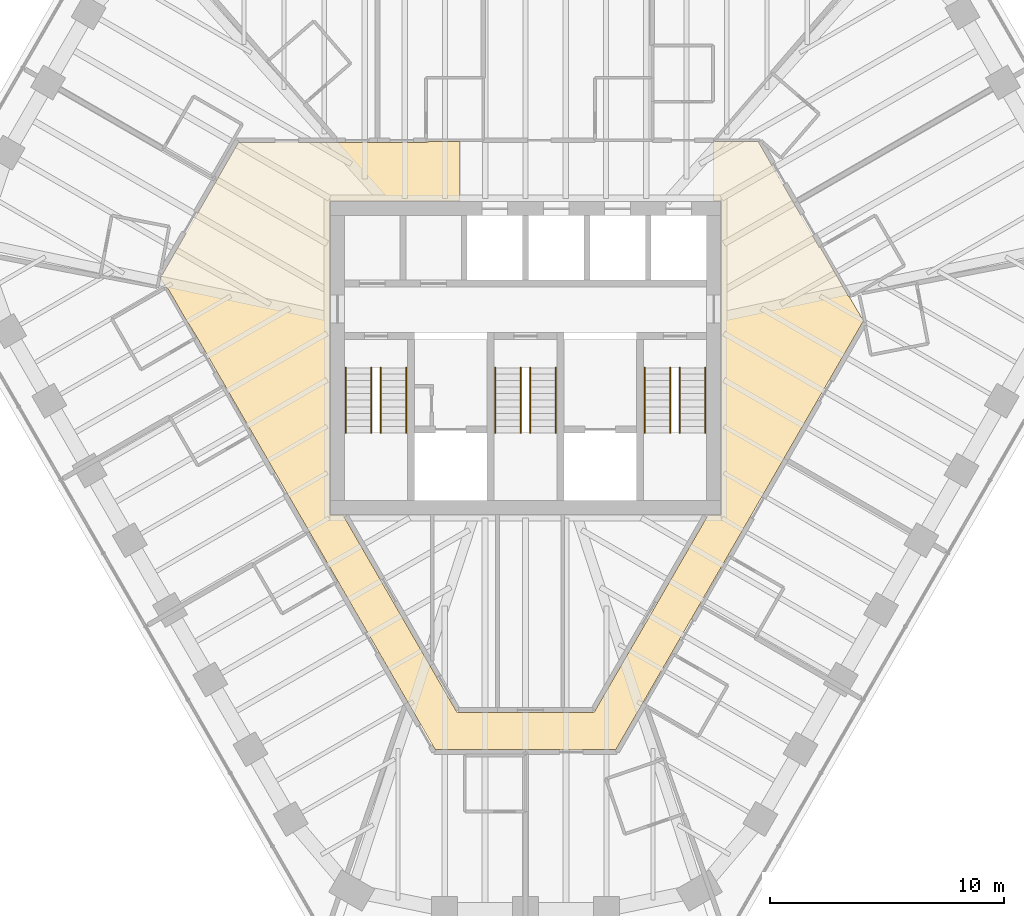
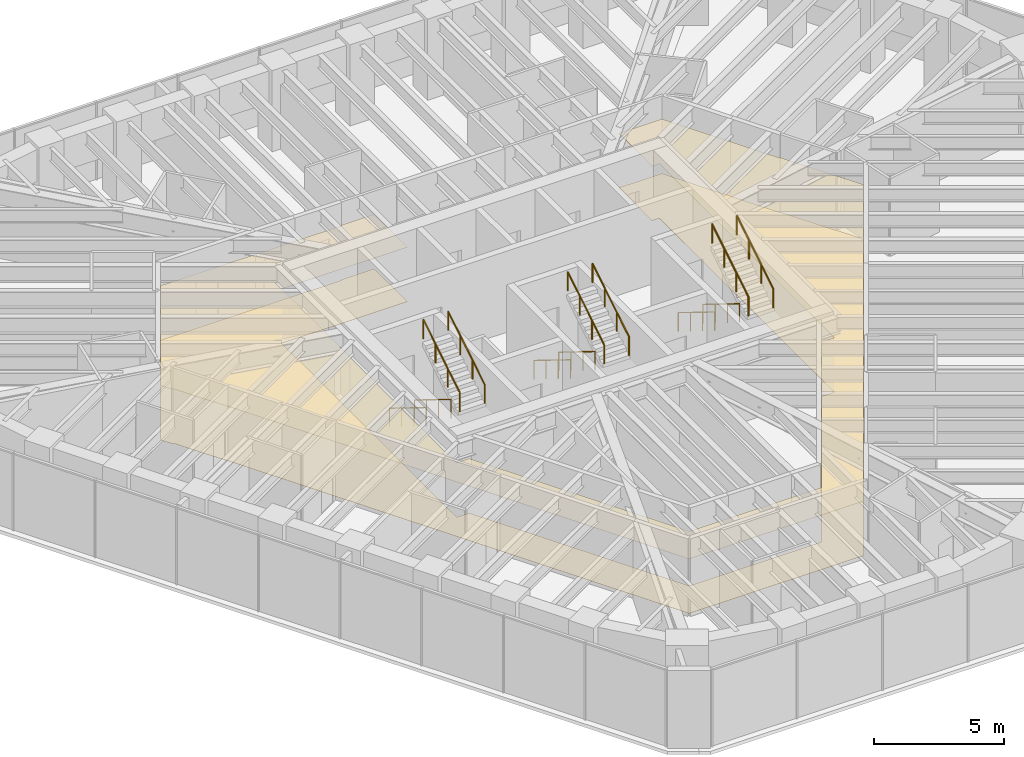
# One storey, part 14 of 14: 12 railings, 2 coverings.
"""IFC4 building model written with IfcOpenShell, lengths in metres."""

import ifcopenshell
import ifcopenshell.guid

model = None  # the IFC model being written
_history = None  # IfcOwnerHistory: only IFC2X3 demands one
_inside = {}  # id of a spatial element -> (the spatial element, [elements in it])
_under = {}  # id of a project, library or spatial element -> (it, [spatial elements below it])
_declared = {}  # id of a project -> (the project, [libraries it declares])
_typed = {}  # id of a type object -> (the type object, [elements of that type])
_made_of = {}  # id of a material, layer set ... -> (it, [elements and type objects made of it])


def new_model(schema):
    """Start an empty IFC model of exactly this schema.

    Asked for "IFC4X3", IfcOpenShell would pick the latest addendum, in which some entities
    have other attributes; the version numbers below select the first issue.
    IFC2X3 requires an IfcOwnerHistory on every rooted entity: one is made here for all.
    """
    global model, _history
    if schema == "IFC4X3":
        model = ifcopenshell.file(schema_version=(4, 3, 0, 0))
    else:
        model = ifcopenshell.file(schema=schema)
    _inside.clear()
    _under.clear()
    _declared.clear()
    _typed.clear()
    _made_of.clear()
    _history = None
    if model.schema == "IFC2X3":
        org = make("IfcOrganization", Name="unknown")
        user = make(
            "IfcPersonAndOrganization",
            ThePerson=make("IfcPerson", FamilyName="unknown"),
            TheOrganization=org,
        )
        app = make(
            "IfcApplication",
            ApplicationDeveloper=org,
            Version="unknown",
            ApplicationFullName="unknown",
            ApplicationIdentifier="unknown",
        )
        _history = make(
            "IfcOwnerHistory",
            OwningUser=user,
            OwningApplication=app,
            ChangeAction="ADDED",
            CreationDate=0,
        )
    return model


def make(cls, **values):
    """One entity of the class cls with the attributes given. An attribute that is None is left unset."""
    return model.create_entity(
        cls, **{name: value for name, value in values.items() if value is not None}
    )


def rooted(cls, **values):
    """An entity with a GlobalId (a new one), such as an element, a storey or a relation."""
    return make(cls, GlobalId=ifcopenshell.guid.new(), OwnerHistory=_history, **values)


def si_unit(unit_type, name, prefix=None):
    """IfcSIUnit, for example si_unit("LENGTHUNIT", "METRE", prefix="MILLI")."""
    return make("IfcSIUnit", UnitType=unit_type, Prefix=prefix, Name=name)


def assignment(units):
    """IfcUnitAssignment: the units of a project."""
    return None if units is None else make("IfcUnitAssignment", Units=units)


def point(xyz):
    """IfcCartesianPoint."""
    return None if xyz is None else make("IfcCartesianPoint", Coordinates=xyz)


def direction(xyz):
    """IfcDirection."""
    return None if xyz is None else make("IfcDirection", DirectionRatios=xyz)


def frame(location, z_axis=None, x_axis=None):
    """IfcAxis2Placement3D, a coordinate frame: its origin and axes. An axis left out is left unset."""
    return make(
        "IfcAxis2Placement3D",
        Location=point(location),
        Axis=direction(z_axis),
        RefDirection=direction(x_axis),
    )


def frame_2d(location, x_axis=None):
    """IfcAxis2Placement2D, a coordinate frame in the plane: its origin and x axis."""
    return make(
        "IfcAxis2Placement2D", Location=point(location), RefDirection=direction(x_axis)
    )


def origin():
    """The frame at (0, 0, 0) with its axes left unset."""
    return frame((0.0, 0.0, 0.0))


def origin_2d():
    """The frame at (0, 0) in the plane with its x axis left unset."""
    return frame_2d((0.0, 0.0))


def place(relative_to, where):
    """IfcLocalPlacement: puts the frame where relative to a parent placement (None: the world)."""
    return make(
        "IfcLocalPlacement", PlacementRelTo=relative_to, RelativePlacement=where
    )


def context(
    kind, dimensions, precision=None, world=None, true_north=None, identifier=None
):
    """IfcGeometricRepresentationContext, for example the 3D "Model" context."""
    return make(
        "IfcGeometricRepresentationContext",
        ContextIdentifier=identifier,
        ContextType=kind,
        CoordinateSpaceDimension=dimensions,
        Precision=precision,
        WorldCoordinateSystem=world,
        TrueNorth=true_north,
    )


def subcontext(parent, identifier, kind, view, scale=None):
    """IfcGeometricRepresentationSubContext, for example "Body" below "Model"."""
    return make(
        "IfcGeometricRepresentationSubContext",
        ContextIdentifier=identifier,
        ContextType=kind,
        ParentContext=parent,
        TargetScale=scale,
        TargetView=view,
    )


def project(units=None, contexts=None):
    """IfcProject with its units and contexts."""
    return rooted(
        "IfcProject",
        Name="project",
        RepresentationContexts=contexts,
        UnitsInContext=assignment(units),
    )


def spatial(cls, under=None, at=None, **own):
    """A site, building, storey or space (cls), placed at a placement, below another one or the project."""
    s = rooted(cls, ObjectPlacement=at, **own)
    if under is not None:
        _under.setdefault(under.id(), (under, []))[1].append(s)
    return s


def polyline(points):
    """IfcPolyline through the points."""
    return make("IfcPolyline", Points=[point(p) for p in points])


def profile(cls, at=None, kind="AREA", **sizes):
    """A parametric profile (cls). Its sizes go by their IFC names, for example OverallWidth=200.0."""
    return make(cls, ProfileType=kind, Position=at, **sizes)


def circle(**sizes):
    """IfcCircleProfileDef."""
    return profile("IfcCircleProfileDef", **sizes)


def outline(outer, holes=None, kind="AREA"):
    """IfcArbitraryClosedProfileDef: a profile drawn as a closed curve; with holes, ...WithVoids."""
    if holes is None:
        return make("IfcArbitraryClosedProfileDef", ProfileType=kind, OuterCurve=outer)
    return make(
        "IfcArbitraryProfileDefWithVoids",
        ProfileType=kind,
        OuterCurve=outer,
        InnerCurves=holes,
    )


def extrude(swept, where, along, depth):
    """IfcExtrudedAreaSolid: the profile swept, set in the frame where, extruded along a direction by depth."""
    return make(
        "IfcExtrudedAreaSolid",
        SweptArea=swept,
        Position=where,
        ExtrudedDirection=direction(along),
        Depth=depth,
    )


def shape(context_of_items, identifier, shape_type, items):
    """IfcShapeRepresentation: the items that make up one representation, for example the "Body"."""
    return make(
        "IfcShapeRepresentation",
        ContextOfItems=context_of_items,
        RepresentationIdentifier=identifier,
        RepresentationType=shape_type,
        Items=items,
    )


def material(Name=None, Category=None):
    """IfcMaterial."""
    return make("IfcMaterial", Name=Name, Category=Category)


def layer(
    of_material, thickness, ventilated=None, Name=None, Category=None, Priority=None
):
    """IfcMaterialLayer: one layer of a wall or slab, of a material (None: an air gap)."""
    return make(
        "IfcMaterialLayer",
        Material=of_material,
        LayerThickness=thickness,
        IsVentilated=ventilated,
        Name=Name,
        Category=Category,
        Priority=Priority,
    )


def layer_set(layers, Name=None):
    """IfcMaterialLayerSet."""
    return make("IfcMaterialLayerSet", MaterialLayers=layers, LayerSetName=Name)


def made_of(thing, what):
    """Note that an element or type object is made of a material, layer set ...; save() writes the relation."""
    if what is not None:
        _made_of.setdefault(what.id(), (what, []))[1].append(thing)
    return thing


def type_object(cls, material=None, **own):
    """A type object (cls), such as IfcWallType, which elements share."""
    return made_of(rooted(cls, **own), material)


def element(
    cls,
    number,
    at=None,
    inside=None,
    cuts=None,
    type_object=None,
    material=None,
    context=None,
    identifier="Body",
    shape_type=None,
    held_by="IfcProductDefinitionShape",
    body=None,
    shapes=None,
    **own,
):
    """One element of the class cls, such as IfcWall. Its Tag is "e" and its number.

    at: its placement. inside: the storey or other place that contains it. cuts: it is an
    opening in that element (IfcRelVoidsElement). A single representation is given by context,
    identifier, shape_type and body (its items); several are given by shapes. held_by: the class
    of the entity that holds the representations. save() writes the other relations.
    """
    e = rooted(cls, Tag="e%d" % number, ObjectPlacement=at, **own)
    if body is not None:
        shapes = [shape(context, identifier, shape_type, body)]
    if shapes is not None:
        e.Representation = make(held_by, Representations=shapes)
    if inside is not None:
        _inside.setdefault(inside.id(), (inside, []))[1].append(e)
    if cuts is not None:
        rooted(
            "IfcRelVoidsElement", RelatingBuildingElement=cuts, RelatedOpeningElement=e
        )
    if type_object is not None:
        _typed.setdefault(type_object.id(), (type_object, []))[1].append(e)
    return made_of(e, material)


def aggregate(whole, parts):
    """IfcRelAggregates: a whole, such as a stair, and the parts it consists of."""
    return rooted("IfcRelAggregates", RelatingObject=whole, RelatedObjects=parts)


def save(model, path):
    """Write the relations noted so far, then the file.

    IfcRelAggregates (storeys below a building ...), IfcRelContainedInSpatialStructure (elements
    in a storey), IfcRelDefinesByType, IfcRelAssociatesMaterial and IfcRelDeclares: one each for
    every whole, place, type object, material and project.
    """
    for whole, parts in _under.values():
        aggregate(whole, parts)
    for where, things in _inside.values():
        rooted(
            "IfcRelContainedInSpatialStructure",
            RelatedElements=things,
            RelatingStructure=where,
        )
    for kind, things in _typed.values():
        rooted("IfcRelDefinesByType", RelatedObjects=things, RelatingType=kind)
    for what, things in _made_of.values():
        rooted("IfcRelAssociatesMaterial", RelatedObjects=things, RelatingMaterial=what)
    for by, libraries in _declared.values():
        rooted("IfcRelDeclares", RelatingContext=by, RelatedDefinitions=libraries)
    model.write(path)


model = new_model("IFC4")

# Units and contexts
model_context = context("Model", 3, precision=1e-05, world=origin(), true_north=direction((0.0, 1.0)))
body_context = subcontext(model_context, "Body", "Model", "MODEL_VIEW")
ifc_project = project(units=[si_unit("LENGTHUNIT", "METRE"), si_unit("AREAUNIT", "SQUARE_METRE"), si_unit("VOLUMEUNIT", "CUBIC_METRE"), si_unit("PLANEANGLEUNIT", "RADIAN"), si_unit("MASSUNIT", "GRAM", prefix="KILO")], contexts=[model_context])

# Site, building, storey
site_placement = place(None, origin())
site = spatial("IfcSite", under=ifc_project, at=site_placement, CompositionType="ELEMENT")
building_placement = place(site_placement, origin())
building = spatial("IfcBuilding", under=site, at=building_placement, Name="Sandreach Pilgrim Tower", CompositionType="ELEMENT")
storey_placement = place(building_placement, frame((0.0, 0.0, 283.60009765625)))
storey = spatial("IfcBuildingStorey", under=building, at=storey_placement, Name="L71", CompositionType="ELEMENT", Elevation=283.60009765625)

# Coverings
ifc_material_1 = material(Name="Nylon carpet tile on the slab", Category="textile")
ifc_layer_1 = layer(ifc_material_1, 0.008056640625)
ifc_layer_set_1 = layer_set([ifc_layer_1], Name="Carpet tile")
covering_type_1 = type_object("IfcCoveringType", Name="Carpet tile", PredefinedType="FLOORING", material=ifc_layer_set_1)
covering_1_placement = place(storey_placement, origin())
element("IfcCovering", 1, at=covering_1_placement, inside=storey, type_object=covering_type_1, Name="Floor finish 71C Corridor 71", PredefinedType="FLOORING", context=body_context, shape_type="SweptSolid", body=[
    extrude(outline(polyline([(-15.610107421875, 3.4716796875), (-12.292236328125, 9.22998046875), (-4.260009765625, 9.22998046875), (-4.260009765625, 9.263916015625), (-2.800048828125, 9.27001953125), (-2.800048828125, 6.719970703125), (-8.3701171875, 6.719970703125), (-8.3701171875, -6.719970703125), (-7.812744140625, -6.719970703125), (-2.937744140625, -15.159912109375), (2.937744140625, -15.159912109375), (7.812744140625, -6.719970703125), (8.3701171875, -6.719970703125), (8.3701171875, 6.719970703125), (8.050048828125, 6.719970703125), (8.050048828125, 9.27001953125), (9.95751953125, 9.27001953125), (12.576416015625, 4.74169921875), (12.607421875, 4.759521484375), (13.827880859375, 2.64013671875), (13.84619140625, 2.650634765625), (14.464111328125, 1.5986328125), (3.8623046875, -16.760009765625), (-3.8623046875, -16.760009765625), (-14.0634765625, 0.89990234375), (-14.656982421875, 1.854736328125), (-15.307861328125, 2.98974609375), (-15.348388671875, 2.966796875), (-15.356201171875, 2.979248046875), (-15.34814453125, 3.018798828125), (-15.385498046875, 3.0263671875), (-15.62255859375, 3.407470703125), (-15.610107421875, 3.4716796875)])), origin(), (0.0, 0.0, 1.0), 0.0078125),
])
ifc_material_2 = material(Name="Gypsum board suspended ceiling on a steel grid", Category="steel")
ifc_layer_2 = layer(ifc_material_2, 0.012939453125)
ifc_layer_set_2 = layer_set([ifc_layer_2], Name="Gypsum board suspended ceiling")
covering_type_2 = type_object("IfcCoveringType", Name="Gypsum board suspended ceiling", PredefinedType="CEILING", material=ifc_layer_set_2)
covering_2_placement = place(storey_placement, frame((0.0, 0.0, 2.5498046875)))
element("IfcCovering", 2, at=covering_2_placement, inside=storey, type_object=covering_type_2, Name="Ceiling 71C Corridor 71", PredefinedType="CEILING", context=body_context, shape_type="SweptSolid", body=[
    extrude(outline(polyline([(-15.610107421875, 3.4716796875), (-12.292236328125, 9.22998046875), (-4.260009765625, 9.22998046875), (-4.260009765625, 9.263916015625), (-2.800048828125, 9.27001953125), (-2.800048828125, 6.719970703125), (-8.3701171875, 6.719970703125), (-8.3701171875, -6.719970703125), (-7.812744140625, -6.719970703125), (-2.937744140625, -15.159912109375), (2.937744140625, -15.159912109375), (7.812744140625, -6.719970703125), (8.3701171875, -6.719970703125), (8.3701171875, 6.719970703125), (8.050048828125, 6.719970703125), (8.050048828125, 9.27001953125), (9.95751953125, 9.27001953125), (12.576416015625, 4.74169921875), (12.607421875, 4.759521484375), (13.827880859375, 2.64013671875), (13.84619140625, 2.650634765625), (14.464111328125, 1.5986328125), (3.8623046875, -16.760009765625), (-3.8623046875, -16.760009765625), (-14.0634765625, 0.89990234375), (-14.656982421875, 1.854736328125), (-15.307861328125, 2.98974609375), (-15.348388671875, 2.966796875), (-15.356201171875, 2.979248046875), (-15.34814453125, 3.018798828125), (-15.385498046875, 3.0263671875), (-15.62255859375, 3.407470703125), (-15.610107421875, 3.4716796875)])), origin(), (0.0, 0.0, 1.0), 0.01318359375),
])

# Railings
ifc_material_3 = material(Name="Stainless steel tube", Category="steel")
railing_type = type_object("IfcRailingType", Name="Stair handrail", PredefinedType="HANDRAIL", material=ifc_material_3)
for number, where, name in (
    (3, (-6.60009765625, -0.39990234375, 0.172607421875), "Handrail ST1 L71 flight 1"),
    (4, (-7.699951171875, -0.39990234375, 0.172607421875), "Handrail ST1 L71 flight 1"),
):
    element("IfcRailing", number, at=place(storey_placement, frame(where)), inside=storey, type_object=railing_type, Name=name, PredefinedType="HANDRAIL", context=body_context, shape_type="SweptSolid", body=[
        extrude(circle(Radius=0.02392578125, at=origin_2d()), frame((0.0, 0.0, 0.8759765625), z_axis=(0.0, -0.851089632645, 0.525020415988), x_axis=(1.0, 0.0, 0.0)), (0.0, 0.0, 1.0), 3.2900390625),
        extrude(circle(Radius=0.02099609375, at=origin_2d()), origin(), (0.0, 0.0, 1.0), 0.851806640625),
        extrude(circle(Radius=0.02099609375, at=origin_2d()), frame((0.0, -0.933349609375, 0.57568359375)), (0.0, 0.0, 1.0), 0.851806640625),
        extrude(circle(Radius=0.02099609375, at=origin_2d()), frame((0.0, -1.86669921875, 1.151611328125)), (0.0, 0.0, 1.0), 0.851806640625),
        extrude(circle(Radius=0.02099609375, at=origin_2d()), frame((0.0, -2.800048828125, 1.727294921875)), (0.0, 0.0, 1.0), 0.851806640625),
    ])
for number, where, name in (
    (5, (-6.199951171875, -3.199951171875, 2.072509765625), "Handrail ST1 L71 flight 2"),
    (6, (-5.10009765625, -3.199951171875, 2.072509765625), "Handrail ST1 L71 flight 2"),
):
    element("IfcRailing", number, at=place(storey_placement, frame(where)), inside=storey, type_object=railing_type, Name=name, PredefinedType="HANDRAIL", context=body_context, shape_type="SweptSolid", body=[
        extrude(circle(Radius=0.02392578125, at=origin_2d()), frame((0.0, 0.0, 0.8759765625), z_axis=(0.0, 0.851089632645, 0.525020415988), x_axis=(-1.0, 0.0, 0.0)), (0.0, 0.0, 1.0), 3.2900390625),
        extrude(circle(Radius=0.02099609375, at=origin_2d()), origin(), (0.0, 0.0, 1.0), 0.851806640625),
        extrude(circle(Radius=0.02099609375, at=origin_2d()), frame((0.0, 0.933349609375, 0.57568359375)), (0.0, 0.0, 1.0), 0.851806640625),
        extrude(circle(Radius=0.02099609375, at=origin_2d()), frame((0.0, 1.86669921875, 1.151611328125)), (0.0, 0.0, 1.0), 0.851806640625),
        extrude(circle(Radius=0.02099609375, at=origin_2d()), frame((0.0, 2.800048828125, 1.727294921875)), (0.0, 0.0, 1.0), 0.851806640625),
    ])
for number, where, name in (
    (7, (-0.199951171875, -0.39990234375, 0.172607421875), "Handrail ST3 L71 flight 1"),
    (8, (-1.300048828125, -0.39990234375, 0.172607421875), "Handrail ST3 L71 flight 1"),
):
    element("IfcRailing", number, at=place(storey_placement, frame(where)), inside=storey, type_object=railing_type, Name=name, PredefinedType="HANDRAIL", context=body_context, shape_type="SweptSolid", body=[
        extrude(circle(Radius=0.02392578125, at=origin_2d()), frame((0.0, 0.0, 0.8759765625), z_axis=(0.0, -0.851089632645, 0.525020415988), x_axis=(1.0, 0.0, 0.0)), (0.0, 0.0, 1.0), 3.2900390625),
        extrude(circle(Radius=0.02099609375, at=origin_2d()), origin(), (0.0, 0.0, 1.0), 0.851806640625),
        extrude(circle(Radius=0.02099609375, at=origin_2d()), frame((0.0, -0.933349609375, 0.57568359375)), (0.0, 0.0, 1.0), 0.851806640625),
        extrude(circle(Radius=0.02099609375, at=origin_2d()), frame((0.0, -1.86669921875, 1.151611328125)), (0.0, 0.0, 1.0), 0.851806640625),
        extrude(circle(Radius=0.02099609375, at=origin_2d()), frame((0.0, -2.800048828125, 1.727294921875)), (0.0, 0.0, 1.0), 0.851806640625),
    ])
for number, where, name in (
    (9, (0.199951171875, -3.199951171875, 2.072509765625), "Handrail ST3 L71 flight 2"),
    (10, (1.300048828125, -3.199951171875, 2.072509765625), "Handrail ST3 L71 flight 2"),
):
    element("IfcRailing", number, at=place(storey_placement, frame(where)), inside=storey, type_object=railing_type, Name=name, PredefinedType="HANDRAIL", context=body_context, shape_type="SweptSolid", body=[
        extrude(circle(Radius=0.02392578125, at=origin_2d()), frame((0.0, 0.0, 0.8759765625), z_axis=(0.0, 0.851089632645, 0.525020415988), x_axis=(-1.0, 0.0, 0.0)), (0.0, 0.0, 1.0), 3.2900390625),
        extrude(circle(Radius=0.02099609375, at=origin_2d()), origin(), (0.0, 0.0, 1.0), 0.851806640625),
        extrude(circle(Radius=0.02099609375, at=origin_2d()), frame((0.0, 0.933349609375, 0.57568359375)), (0.0, 0.0, 1.0), 0.851806640625),
        extrude(circle(Radius=0.02099609375, at=origin_2d()), frame((0.0, 1.86669921875, 1.151611328125)), (0.0, 0.0, 1.0), 0.851806640625),
        extrude(circle(Radius=0.02099609375, at=origin_2d()), frame((0.0, 2.800048828125, 1.727294921875)), (0.0, 0.0, 1.0), 0.851806640625),
    ])
for number, where, name in (
    (11, (6.199951171875, -0.39990234375, 0.172607421875), "Handrail ST2 L71 flight 1"),
    (12, (5.10009765625, -0.39990234375, 0.172607421875), "Handrail ST2 L71 flight 1"),
):
    element("IfcRailing", number, at=place(storey_placement, frame(where)), inside=storey, type_object=railing_type, Name=name, PredefinedType="HANDRAIL", context=body_context, shape_type="SweptSolid", body=[
        extrude(circle(Radius=0.02392578125, at=origin_2d()), frame((0.0, 0.0, 0.8759765625), z_axis=(0.0, -0.851089632645, 0.525020415988), x_axis=(1.0, 0.0, 0.0)), (0.0, 0.0, 1.0), 3.2900390625),
        extrude(circle(Radius=0.02099609375, at=origin_2d()), origin(), (0.0, 0.0, 1.0), 0.851806640625),
        extrude(circle(Radius=0.02099609375, at=origin_2d()), frame((0.0, -0.933349609375, 0.57568359375)), (0.0, 0.0, 1.0), 0.851806640625),
        extrude(circle(Radius=0.02099609375, at=origin_2d()), frame((0.0, -1.86669921875, 1.151611328125)), (0.0, 0.0, 1.0), 0.851806640625),
        extrude(circle(Radius=0.02099609375, at=origin_2d()), frame((0.0, -2.800048828125, 1.727294921875)), (0.0, 0.0, 1.0), 0.851806640625),
    ])
for number, where, name in (
    (13, (6.60009765625, -3.199951171875, 2.072509765625), "Handrail ST2 L71 flight 2"),
    (14, (7.699951171875, -3.199951171875, 2.072509765625), "Handrail ST2 L71 flight 2"),
):
    element("IfcRailing", number, at=place(storey_placement, frame(where)), inside=storey, type_object=railing_type, Name=name, PredefinedType="HANDRAIL", context=body_context, shape_type="SweptSolid", body=[
        extrude(circle(Radius=0.02392578125, at=origin_2d()), frame((0.0, 0.0, 0.8759765625), z_axis=(0.0, 0.851089632645, 0.525020415988), x_axis=(-1.0, 0.0, 0.0)), (0.0, 0.0, 1.0), 3.2900390625),
        extrude(circle(Radius=0.02099609375, at=origin_2d()), origin(), (0.0, 0.0, 1.0), 0.851806640625),
        extrude(circle(Radius=0.02099609375, at=origin_2d()), frame((0.0, 0.933349609375, 0.57568359375)), (0.0, 0.0, 1.0), 0.851806640625),
        extrude(circle(Radius=0.02099609375, at=origin_2d()), frame((0.0, 1.86669921875, 1.151611328125)), (0.0, 0.0, 1.0), 0.851806640625),
        extrude(circle(Radius=0.02099609375, at=origin_2d()), frame((0.0, 2.800048828125, 1.727294921875)), (0.0, 0.0, 1.0), 0.851806640625),
    ])

save(model, "model.ifc")
